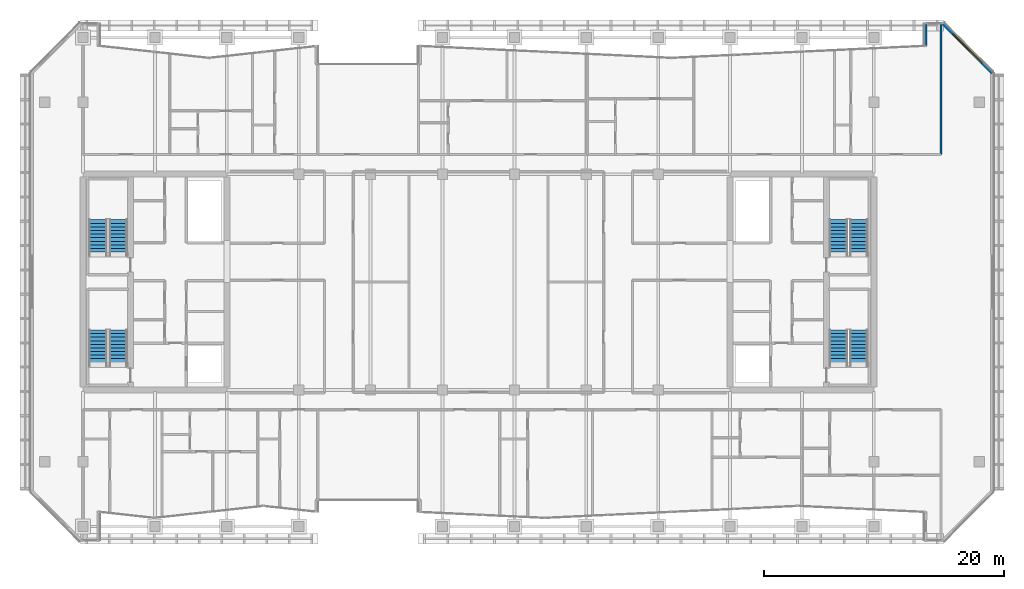
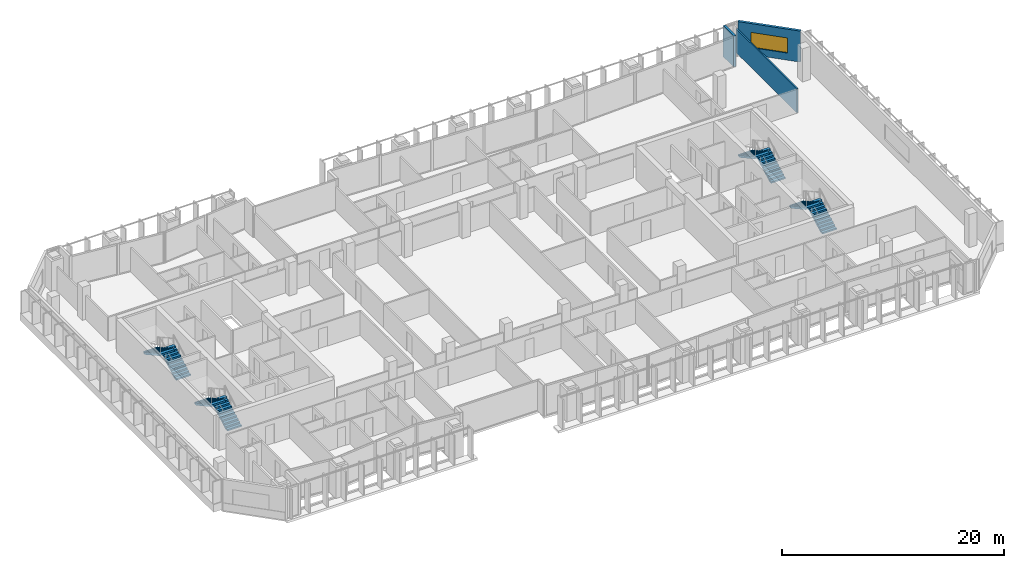
# One storey, part 24 of 29: 8 stair flights, 3 walls, 1 window, 1 opening, 4 elements without a shape of their own.
"""IFC4 building model written with IfcOpenShell, lengths in metres."""

from ifc_helpers import new_model, si_unit, direction, frame, frame_2d, origin, place, context, subcontext, project, spatial, polyline, rectangle, outline, extrude, material, layer, layer_set, type_object, element, fill, aggregate, save


model = new_model("IFC4")

# Units and contexts
model_context = context("Model", 3, precision=1e-05, world=origin(), true_north=direction((0.0, 1.0)))
body_context = subcontext(model_context, "Body", "Model", "MODEL_VIEW")
ifc_project = project(units=[si_unit("LENGTHUNIT", "METRE"), si_unit("AREAUNIT", "SQUARE_METRE"), si_unit("VOLUMEUNIT", "CUBIC_METRE"), si_unit("PLANEANGLEUNIT", "RADIAN"), si_unit("MASSUNIT", "GRAM", prefix="KILO")], contexts=[model_context])

# Site, building, storey
site_placement = place(None, origin())
site = spatial("IfcSite", under=ifc_project, at=site_placement, CompositionType="ELEMENT")
building_placement = place(site_placement, origin())
building = spatial("IfcBuilding", under=site, at=building_placement, Name="Tanjung Sevakor Pilgrim Tower", CompositionType="ELEMENT")
storey_placement = place(building_placement, frame((0.0, 0.0, 162.030029296875)))
storey = spatial("IfcBuildingStorey", under=building, at=storey_placement, Name="L45", CompositionType="ELEMENT", Elevation=162.030029296875)

# Wall
ifc_material_1 = material(Name="Concrete C40/50", Category="concrete")
ifc_layer_1 = layer(ifc_material_1, 0.14990234375)
ifc_layer_set_1 = layer_set([ifc_layer_1], Name="WT-COMP-150")
wall_type_1 = type_object("IfcWallType", Name="WT-COMP-150", PredefinedType="SOLIDWALL", material=ifc_layer_set_1)
wall_1_placement = place(storey_placement, frame((95.60009765625, 44.25, 0.0), z_axis=(0.0, 0.0, 1.0), x_axis=(0.0, 1.0, 0.0)))
element("IfcWall", 1, at=wall_1_placement, inside=storey, type_object=wall_type_1, Name="L45 Partition IW-L45-103", PredefinedType="SOLIDWALL", context=body_context, shape_type="SweptSolid", body=[
    extrude(rectangle(XDim=10.925048828125, YDim=0.14990234375, at=frame_2d((5.46240234375, 0.0))), origin(), (0.0, 0.0, 1.0), 2.6298828125),
])

# Wall, opening, window
ifc_material_2 = material(Name="Precast concrete C45/55", Category="concrete")
ifc_layer_2 = layer(ifc_material_2, 0.25)
ifc_layer_set_2 = layer_set([ifc_layer_2], Name="WT-EW-STN3")
wall_type_2 = type_object("IfcWallType", Name="WT-EW-STN3", PredefinedType="SOLIDWALL", material=ifc_layer_set_2)
wall_2_placement = place(storey_placement, frame((99.875, 51.048095703125, 0.0), z_axis=(0.0, 0.0, 1.0), x_axis=(-0.70708586489, 0.707127696864, 0.0)))
wall_2 = element("IfcWall", 2, at=wall_2_placement, inside=storey, type_object=wall_type_2, Name="L45 MAIN Sculpted Corner Wall 17", PredefinedType="SOLIDWALL", context=body_context, shape_type="SweptSolid", body=[
    extrude(rectangle(XDim=5.836181640625, YDim=0.25, at=frame_2d((2.91796875, 0.0))), origin(), (0.0, 0.0, 1.0), 3.409912109375),
])
opening_placement = place(wall_2_placement, frame((1.218017578125, 0.0, 0.780029296875)))
opening = element("IfcOpeningElement", 3, at=opening_placement, cuts=wall_2, Name="Opening WN-CHM-1660", PredefinedType="OPENING", context=body_context, shape_type="SweptSolid", body=[
    extrude(rectangle(XDim=3.39990234375, YDim=1.659912109375, at=frame_2d((1.699951171875, 0.830078125))), frame((0.0, 0.135009765625, 0.0), z_axis=(0.0, -1.0, 0.0), x_axis=(1.0, 0.0, 0.0)), (0.0, 0.0, 1.0), 0.27001953125),
])
ifc_material_3 = material(Name="Thermally Broken Aluminium and Low-E Glass", Category="aluminium")
window_type = type_object("IfcWindowType", Name="WTYP-WN-CHM-1660", PartitioningType="DOUBLE_PANEL_VERTICAL", PredefinedType="WINDOW", material=ifc_material_3)
window_placement = place(opening_placement, origin())
window = element("IfcWindow", 4, at=window_placement, inside=storey, type_object=window_type, Name="L45 Facade Window 01", OverallHeight=1.659912109375, OverallWidth=3.39990234375, PartitioningType="SINGLE_PANEL", PredefinedType="WINDOW", context=body_context, shape_type="SweptSolid", body=[
    extrude(rectangle(XDim=3.39990234375, YDim=1.659912109375, at=frame_2d((1.699951171875, 0.830078125))), frame((0.0, 0.030029296875, 0.0), z_axis=(0.0, -1.0, 0.0), x_axis=(1.0, 0.0, 0.0)), (0.0, 0.0, 1.0), 0.06005859375),
])
fill(opening, window)

# Wall
wall_3_placement = place(storey_placement, frame((94.324951171875, 55.175048828125, 0.0), z_axis=(0.0, 0.0, 1.0), x_axis=(0.0, -1.0, 0.0)))
element("IfcWall", 5, at=wall_3_placement, inside=storey, type_object=wall_type_2, Name="L45 MAIN Exterior Wall 20", PredefinedType="SOLIDWALL", context=body_context, shape_type="SweptSolid", body=[
    extrude(rectangle(XDim=1.874267578125, YDim=0.25, at=frame_2d((0.93701171875, 0.0))), origin(), (0.0, 0.0, 1.0), 3.409912109375),
])

# Stair, stair flights
ifc_material_4 = material(Name="Concrete C40/50", Category="concrete")
stair_type = type_object("IfcStairType", Name="STAIR-ST-CR150", PredefinedType="HALF_TURN_STAIR", material=ifc_material_4)
stair_1_placement = place(storey_placement, origin())
stair_1 = element("IfcStair", 6, at=stair_1_placement, inside=storey, type_object=stair_type, Name="L45 West Core Exit Stair 1", PredefinedType="HALF_TURN_STAIR")
ifc_material_5 = material(Name="Concrete C40/50", Category="concrete")
stair_flight_type = type_object("IfcStairFlightType", Name="FLIGHT-ST-CR150", PredefinedType="STRAIGHT", material=ifc_material_5)
stair_flight_1_placement = place(storey_placement, frame((26.949951171875, 26.60009765625, 0.0), z_axis=(0.0, 0.0, 1.0), x_axis=(0.0, 1.0, 0.0)))
stair_flight_1 = element("IfcStairFlight", 7, at=stair_flight_1_placement, type_object=stair_flight_type, Name="TS-W1 flight 1", NumberOfRisers=11, NumberOfTreads=10, PredefinedType="STRAIGHT", RiserHeight=0.165, TreadLength=0.3, context=body_context, shape_type="SweptSolid", body=[
    extrude(outline(polyline([(0.0, 0.0), (0.0, 0.1650390625), (0.300048828125, 0.1650390625), (0.300048828125, 0.330078125), (0.60009765625, 0.330078125), (0.60009765625, 0.4951171875), (0.89990234375, 0.4951171875), (0.89990234375, 0.659912109375), (1.199951171875, 0.659912109375), (1.199951171875, 0.824951171875), (1.5, 0.824951171875), (1.5, 0.989990234375), (1.800048828125, 0.989990234375), (1.800048828125, 1.155029296875), (2.10009765625, 1.155029296875), (2.10009765625, 1.320068359375), (2.39990234375, 1.320068359375), (2.39990234375, 1.485107421875), (2.699951171875, 1.485107421875), (2.699951171875, 1.64990234375), (3.0, 1.64990234375), (3.0, 1.81494140625), (3.0, 1.467529296875), (0.331787109375, 0.0), (0.0, 0.0)])), frame((0.0, 0.75, 0.0), z_axis=(0.0, -1.0, 0.0), x_axis=(1.0, 0.0, 0.0)), (0.0, 0.0, 1.0), 1.5),
])
stair_flight_2_placement = place(storey_placement, frame((25.25, 29.60009765625, 1.81494140625), z_axis=(0.0, 0.0, 1.0), x_axis=(0.0, -1.0, 0.0)))
stair_flight_2 = element("IfcStairFlight", 8, at=stair_flight_2_placement, type_object=stair_flight_type, Name="TS-W1 flight 2", NumberOfRisers=11, NumberOfTreads=10, PredefinedType="STRAIGHT", RiserHeight=0.165, TreadLength=0.3, context=body_context, shape_type="SweptSolid", body=[
    extrude(outline(polyline([(0.0, 0.0), (0.0, 0.1650390625), (0.300048828125, 0.1650390625), (0.300048828125, 0.330078125), (0.60009765625, 0.330078125), (0.60009765625, 0.4951171875), (0.89990234375, 0.4951171875), (0.89990234375, 0.659912109375), (1.199951171875, 0.659912109375), (1.199951171875, 0.824951171875), (1.5, 0.824951171875), (1.5, 0.989990234375), (1.800048828125, 0.989990234375), (1.800048828125, 1.155029296875), (2.10009765625, 1.155029296875), (2.10009765625, 1.320068359375), (2.39990234375, 1.320068359375), (2.39990234375, 1.485107421875), (2.699951171875, 1.485107421875), (2.699951171875, 1.64990234375), (3.0, 1.64990234375), (3.0, 1.81494140625), (3.0, 1.467529296875), (0.331787109375, 0.0), (0.0, 0.0)])), frame((0.0, 0.75, 0.0), z_axis=(0.0, -1.0, 0.0), x_axis=(1.0, 0.0, 0.0)), (0.0, 0.0, 1.0), 1.5),
])
aggregate(stair_1, [stair_flight_1, stair_flight_2])

stair_2_placement = place(storey_placement, origin())
stair_2 = element("IfcStair", 9, at=stair_2_placement, inside=storey, type_object=stair_type, Name="L45 West Core Exit Stair 2", PredefinedType="HALF_TURN_STAIR")
stair_flight_3_placement = place(storey_placement, frame((26.949951171875, 35.800048828125, 0.0), z_axis=(0.0, 0.0, 1.0), x_axis=(0.0, 1.0, 0.0)))
stair_flight_3 = element("IfcStairFlight", 10, at=stair_flight_3_placement, type_object=stair_flight_type, Name="TS-W2 flight 1", NumberOfRisers=11, NumberOfTreads=10, PredefinedType="STRAIGHT", RiserHeight=0.165, TreadLength=0.3, context=body_context, shape_type="SweptSolid", body=[
    extrude(outline(polyline([(0.0, 0.0), (0.0, 0.1650390625), (0.300048828125, 0.1650390625), (0.300048828125, 0.330078125), (0.60009765625, 0.330078125), (0.60009765625, 0.4951171875), (0.89990234375, 0.4951171875), (0.89990234375, 0.659912109375), (1.199951171875, 0.659912109375), (1.199951171875, 0.824951171875), (1.5, 0.824951171875), (1.5, 0.989990234375), (1.800048828125, 0.989990234375), (1.800048828125, 1.155029296875), (2.10009765625, 1.155029296875), (2.10009765625, 1.320068359375), (2.39990234375, 1.320068359375), (2.39990234375, 1.485107421875), (2.699951171875, 1.485107421875), (2.699951171875, 1.64990234375), (3.0, 1.64990234375), (3.0, 1.81494140625), (3.0, 1.467529296875), (0.331787109375, 0.0), (0.0, 0.0)])), frame((0.0, 0.75, 0.0), z_axis=(0.0, -1.0, 0.0), x_axis=(1.0, 0.0, 0.0)), (0.0, 0.0, 1.0), 1.5),
])
stair_flight_4_placement = place(storey_placement, frame((25.25, 38.800048828125, 1.81494140625), z_axis=(0.0, 0.0, 1.0), x_axis=(0.0, -1.0, 0.0)))
stair_flight_4 = element("IfcStairFlight", 11, at=stair_flight_4_placement, type_object=stair_flight_type, Name="TS-W2 flight 2", NumberOfRisers=11, NumberOfTreads=10, PredefinedType="STRAIGHT", RiserHeight=0.165, TreadLength=0.3, context=body_context, shape_type="SweptSolid", body=[
    extrude(outline(polyline([(0.0, 0.0), (0.0, 0.1650390625), (0.300048828125, 0.1650390625), (0.300048828125, 0.330078125), (0.60009765625, 0.330078125), (0.60009765625, 0.4951171875), (0.89990234375, 0.4951171875), (0.89990234375, 0.659912109375), (1.199951171875, 0.659912109375), (1.199951171875, 0.824951171875), (1.5, 0.824951171875), (1.5, 0.989990234375), (1.800048828125, 0.989990234375), (1.800048828125, 1.155029296875), (2.10009765625, 1.155029296875), (2.10009765625, 1.320068359375), (2.39990234375, 1.320068359375), (2.39990234375, 1.485107421875), (2.699951171875, 1.485107421875), (2.699951171875, 1.64990234375), (3.0, 1.64990234375), (3.0, 1.81494140625), (3.0, 1.467529296875), (0.331787109375, 0.0), (0.0, 0.0)])), frame((0.0, 0.75, 0.0), z_axis=(0.0, -1.0, 0.0), x_axis=(1.0, 0.0, 0.0)), (0.0, 0.0, 1.0), 1.5),
])
aggregate(stair_2, [stair_flight_3, stair_flight_4])

stair_3_placement = place(storey_placement, origin())
stair_3 = element("IfcStair", 12, at=stair_3_placement, inside=storey, type_object=stair_type, Name="L45 East Core Exit Stair 1", PredefinedType="HALF_TURN_STAIR")
stair_flight_5_placement = place(storey_placement, frame((88.75, 26.60009765625, 0.0), z_axis=(0.0, 0.0, 1.0), x_axis=(0.0, 1.0, 0.0)))
stair_flight_5 = element("IfcStairFlight", 13, at=stair_flight_5_placement, type_object=stair_flight_type, Name="TS-E1 flight 1", NumberOfRisers=11, NumberOfTreads=10, PredefinedType="STRAIGHT", RiserHeight=0.165, TreadLength=0.3, context=body_context, shape_type="SweptSolid", body=[
    extrude(outline(polyline([(0.0, 0.0), (0.0, 0.1650390625), (0.300048828125, 0.1650390625), (0.300048828125, 0.330078125), (0.60009765625, 0.330078125), (0.60009765625, 0.4951171875), (0.89990234375, 0.4951171875), (0.89990234375, 0.659912109375), (1.199951171875, 0.659912109375), (1.199951171875, 0.824951171875), (1.5, 0.824951171875), (1.5, 0.989990234375), (1.800048828125, 0.989990234375), (1.800048828125, 1.155029296875), (2.10009765625, 1.155029296875), (2.10009765625, 1.320068359375), (2.39990234375, 1.320068359375), (2.39990234375, 1.485107421875), (2.699951171875, 1.485107421875), (2.699951171875, 1.64990234375), (3.0, 1.64990234375), (3.0, 1.81494140625), (3.0, 1.467529296875), (0.331787109375, 0.0), (0.0, 0.0)])), frame((0.0, 0.75, 0.0), z_axis=(0.0, -1.0, 0.0), x_axis=(1.0, 0.0, 0.0)), (0.0, 0.0, 1.0), 1.5),
])
stair_flight_6_placement = place(storey_placement, frame((87.050048828125, 29.60009765625, 1.81494140625), z_axis=(0.0, 0.0, 1.0), x_axis=(0.0, -1.0, 0.0)))
stair_flight_6 = element("IfcStairFlight", 14, at=stair_flight_6_placement, type_object=stair_flight_type, Name="TS-E1 flight 2", NumberOfRisers=11, NumberOfTreads=10, PredefinedType="STRAIGHT", RiserHeight=0.165, TreadLength=0.3, context=body_context, shape_type="SweptSolid", body=[
    extrude(outline(polyline([(0.0, 0.0), (0.0, 0.1650390625), (0.300048828125, 0.1650390625), (0.300048828125, 0.330078125), (0.60009765625, 0.330078125), (0.60009765625, 0.4951171875), (0.89990234375, 0.4951171875), (0.89990234375, 0.659912109375), (1.199951171875, 0.659912109375), (1.199951171875, 0.824951171875), (1.5, 0.824951171875), (1.5, 0.989990234375), (1.800048828125, 0.989990234375), (1.800048828125, 1.155029296875), (2.10009765625, 1.155029296875), (2.10009765625, 1.320068359375), (2.39990234375, 1.320068359375), (2.39990234375, 1.485107421875), (2.699951171875, 1.485107421875), (2.699951171875, 1.64990234375), (3.0, 1.64990234375), (3.0, 1.81494140625), (3.0, 1.467529296875), (0.331787109375, 0.0), (0.0, 0.0)])), frame((0.0, 0.75, 0.0), z_axis=(0.0, -1.0, 0.0), x_axis=(1.0, 0.0, 0.0)), (0.0, 0.0, 1.0), 1.5),
])
aggregate(stair_3, [stair_flight_5, stair_flight_6])

stair_4_placement = place(storey_placement, origin())
stair_4 = element("IfcStair", 15, at=stair_4_placement, inside=storey, type_object=stair_type, Name="L45 East Core Exit Stair 2", PredefinedType="HALF_TURN_STAIR")
stair_flight_7_placement = place(storey_placement, frame((88.75, 35.800048828125, 0.0), z_axis=(0.0, 0.0, 1.0), x_axis=(0.0, 1.0, 0.0)))
stair_flight_7 = element("IfcStairFlight", 16, at=stair_flight_7_placement, type_object=stair_flight_type, Name="TS-E2 flight 1", NumberOfRisers=11, NumberOfTreads=10, PredefinedType="STRAIGHT", RiserHeight=0.165, TreadLength=0.3, context=body_context, shape_type="SweptSolid", body=[
    extrude(outline(polyline([(0.0, 0.0), (0.0, 0.1650390625), (0.300048828125, 0.1650390625), (0.300048828125, 0.330078125), (0.60009765625, 0.330078125), (0.60009765625, 0.4951171875), (0.89990234375, 0.4951171875), (0.89990234375, 0.659912109375), (1.199951171875, 0.659912109375), (1.199951171875, 0.824951171875), (1.5, 0.824951171875), (1.5, 0.989990234375), (1.800048828125, 0.989990234375), (1.800048828125, 1.155029296875), (2.10009765625, 1.155029296875), (2.10009765625, 1.320068359375), (2.39990234375, 1.320068359375), (2.39990234375, 1.485107421875), (2.699951171875, 1.485107421875), (2.699951171875, 1.64990234375), (3.0, 1.64990234375), (3.0, 1.81494140625), (3.0, 1.467529296875), (0.331787109375, 0.0), (0.0, 0.0)])), frame((0.0, 0.75, 0.0), z_axis=(0.0, -1.0, 0.0), x_axis=(1.0, 0.0, 0.0)), (0.0, 0.0, 1.0), 1.5),
])
stair_flight_8_placement = place(storey_placement, frame((87.050048828125, 38.800048828125, 1.81494140625), z_axis=(0.0, 0.0, 1.0), x_axis=(0.0, -1.0, 0.0)))
stair_flight_8 = element("IfcStairFlight", 17, at=stair_flight_8_placement, type_object=stair_flight_type, Name="TS-E2 flight 2", NumberOfRisers=11, NumberOfTreads=10, PredefinedType="STRAIGHT", RiserHeight=0.165, TreadLength=0.3, context=body_context, shape_type="SweptSolid", body=[
    extrude(outline(polyline([(0.0, 0.0), (0.0, 0.1650390625), (0.300048828125, 0.1650390625), (0.300048828125, 0.330078125), (0.60009765625, 0.330078125), (0.60009765625, 0.4951171875), (0.89990234375, 0.4951171875), (0.89990234375, 0.659912109375), (1.199951171875, 0.659912109375), (1.199951171875, 0.824951171875), (1.5, 0.824951171875), (1.5, 0.989990234375), (1.800048828125, 0.989990234375), (1.800048828125, 1.155029296875), (2.10009765625, 1.155029296875), (2.10009765625, 1.320068359375), (2.39990234375, 1.320068359375), (2.39990234375, 1.485107421875), (2.699951171875, 1.485107421875), (2.699951171875, 1.64990234375), (3.0, 1.64990234375), (3.0, 1.81494140625), (3.0, 1.467529296875), (0.331787109375, 0.0), (0.0, 0.0)])), frame((0.0, 0.75, 0.0), z_axis=(0.0, -1.0, 0.0), x_axis=(1.0, 0.0, 0.0)), (0.0, 0.0, 1.0), 1.5),
])
aggregate(stair_4, [stair_flight_7, stair_flight_8])

save(model, "model.ifc")
